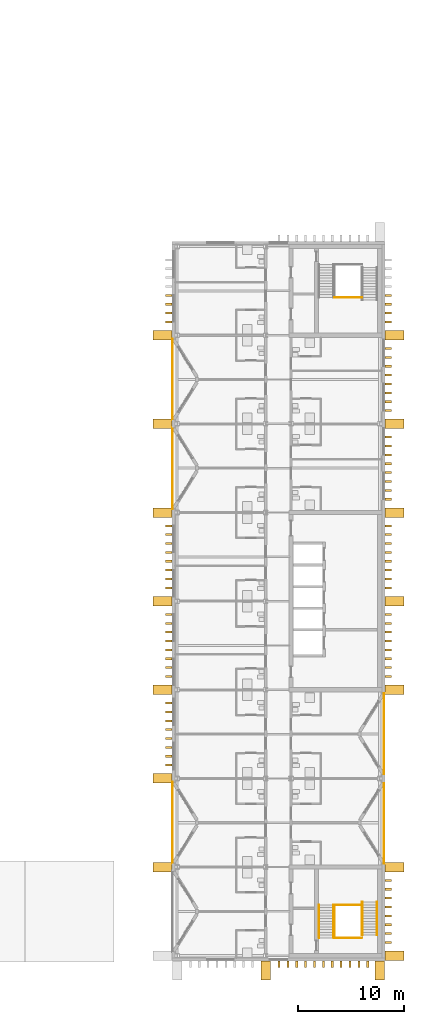
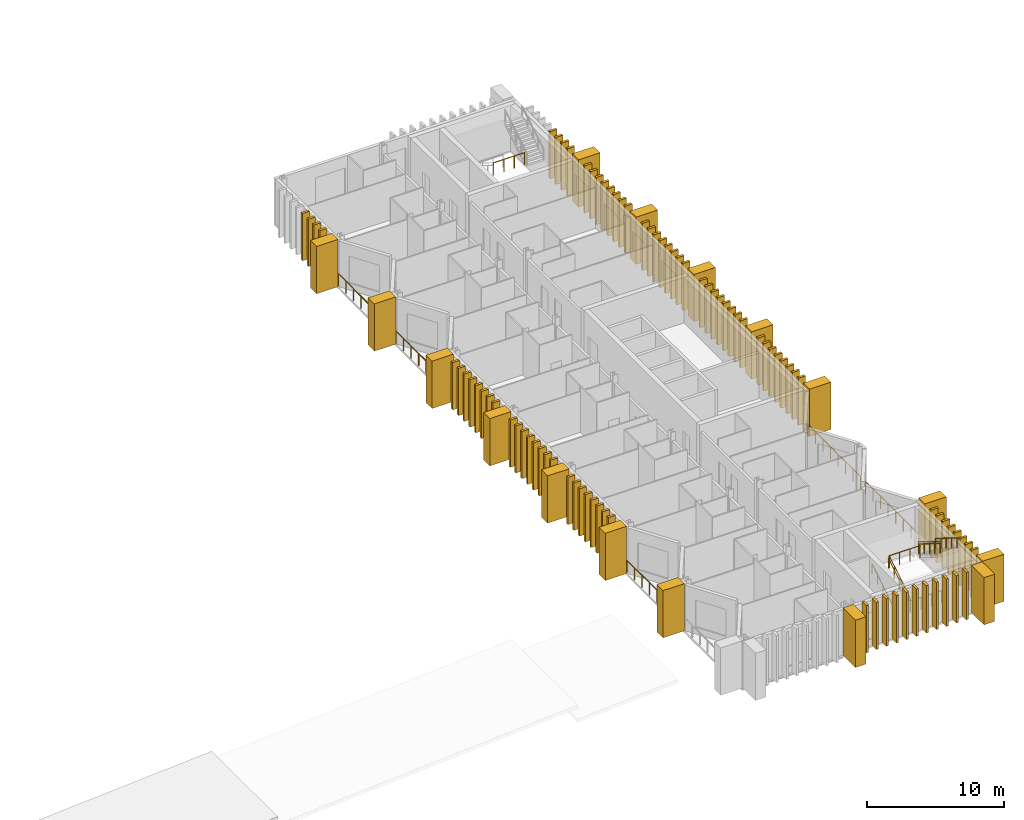
# One storey, part 18 of 21: 99 coverings, 14 railings.
"""IFC4 building model written with IfcOpenShell, lengths in metres."""

import ifcopenshell
import ifcopenshell.guid

model = None  # the IFC model being written
_history = None  # IfcOwnerHistory: only IFC2X3 demands one
_inside = {}  # id of a spatial element -> (the spatial element, [elements in it])
_under = {}  # id of a project, library or spatial element -> (it, [spatial elements below it])
_declared = {}  # id of a project -> (the project, [libraries it declares])
_typed = {}  # id of a type object -> (the type object, [elements of that type])
_made_of = {}  # id of a material, layer set ... -> (it, [elements and type objects made of it])


def new_model(schema):
    """Start an empty IFC model of exactly this schema.

    Asked for "IFC4X3", IfcOpenShell would pick the latest addendum, in which some entities
    have other attributes; the version numbers below select the first issue.
    IFC2X3 requires an IfcOwnerHistory on every rooted entity: one is made here for all.
    """
    global model, _history
    if schema == "IFC4X3":
        model = ifcopenshell.file(schema_version=(4, 3, 0, 0))
    else:
        model = ifcopenshell.file(schema=schema)
    _inside.clear()
    _under.clear()
    _declared.clear()
    _typed.clear()
    _made_of.clear()
    _history = None
    if model.schema == "IFC2X3":
        org = make("IfcOrganization", Name="unknown")
        user = make(
            "IfcPersonAndOrganization",
            ThePerson=make("IfcPerson", FamilyName="unknown"),
            TheOrganization=org,
        )
        app = make(
            "IfcApplication",
            ApplicationDeveloper=org,
            Version="unknown",
            ApplicationFullName="unknown",
            ApplicationIdentifier="unknown",
        )
        _history = make(
            "IfcOwnerHistory",
            OwningUser=user,
            OwningApplication=app,
            ChangeAction="ADDED",
            CreationDate=0,
        )
    return model


def make(cls, **values):
    """One entity of the class cls with the attributes given. An attribute that is None is left unset."""
    return model.create_entity(
        cls, **{name: value for name, value in values.items() if value is not None}
    )


def rooted(cls, **values):
    """An entity with a GlobalId (a new one), such as an element, a storey or a relation."""
    return make(cls, GlobalId=ifcopenshell.guid.new(), OwnerHistory=_history, **values)


def si_unit(unit_type, name, prefix=None):
    """IfcSIUnit, for example si_unit("LENGTHUNIT", "METRE", prefix="MILLI")."""
    return make("IfcSIUnit", UnitType=unit_type, Prefix=prefix, Name=name)


def assignment(units):
    """IfcUnitAssignment: the units of a project."""
    return None if units is None else make("IfcUnitAssignment", Units=units)


def point(xyz):
    """IfcCartesianPoint."""
    return None if xyz is None else make("IfcCartesianPoint", Coordinates=xyz)


def direction(xyz):
    """IfcDirection."""
    return None if xyz is None else make("IfcDirection", DirectionRatios=xyz)


def frame(location, z_axis=None, x_axis=None):
    """IfcAxis2Placement3D, a coordinate frame: its origin and axes. An axis left out is left unset."""
    return make(
        "IfcAxis2Placement3D",
        Location=point(location),
        Axis=direction(z_axis),
        RefDirection=direction(x_axis),
    )


def frame_2d(location, x_axis=None):
    """IfcAxis2Placement2D, a coordinate frame in the plane: its origin and x axis."""
    return make(
        "IfcAxis2Placement2D", Location=point(location), RefDirection=direction(x_axis)
    )


def origin():
    """The frame at (0, 0, 0) with its axes left unset."""
    return frame((0.0, 0.0, 0.0))


def origin_2d():
    """The frame at (0, 0) in the plane with its x axis left unset."""
    return frame_2d((0.0, 0.0))


def place(relative_to, where):
    """IfcLocalPlacement: puts the frame where relative to a parent placement (None: the world)."""
    return make(
        "IfcLocalPlacement", PlacementRelTo=relative_to, RelativePlacement=where
    )


def context(
    kind, dimensions, precision=None, world=None, true_north=None, identifier=None
):
    """IfcGeometricRepresentationContext, for example the 3D "Model" context."""
    return make(
        "IfcGeometricRepresentationContext",
        ContextIdentifier=identifier,
        ContextType=kind,
        CoordinateSpaceDimension=dimensions,
        Precision=precision,
        WorldCoordinateSystem=world,
        TrueNorth=true_north,
    )


def subcontext(parent, identifier, kind, view, scale=None):
    """IfcGeometricRepresentationSubContext, for example "Body" below "Model"."""
    return make(
        "IfcGeometricRepresentationSubContext",
        ContextIdentifier=identifier,
        ContextType=kind,
        ParentContext=parent,
        TargetScale=scale,
        TargetView=view,
    )


def project(units=None, contexts=None):
    """IfcProject with its units and contexts."""
    return rooted(
        "IfcProject",
        Name="project",
        RepresentationContexts=contexts,
        UnitsInContext=assignment(units),
    )


def spatial(cls, under=None, at=None, **own):
    """A site, building, storey or space (cls), placed at a placement, below another one or the project."""
    s = rooted(cls, ObjectPlacement=at, **own)
    if under is not None:
        _under.setdefault(under.id(), (under, []))[1].append(s)
    return s


def profile(cls, at=None, kind="AREA", **sizes):
    """A parametric profile (cls). Its sizes go by their IFC names, for example OverallWidth=200.0."""
    return make(cls, ProfileType=kind, Position=at, **sizes)


def rectangle(**sizes):
    """IfcRectangleProfileDef."""
    return profile("IfcRectangleProfileDef", **sizes)


def circle(**sizes):
    """IfcCircleProfileDef."""
    return profile("IfcCircleProfileDef", **sizes)


def extrude(swept, where, along, depth):
    """IfcExtrudedAreaSolid: the profile swept, set in the frame where, extruded along a direction by depth."""
    return make(
        "IfcExtrudedAreaSolid",
        SweptArea=swept,
        Position=where,
        ExtrudedDirection=direction(along),
        Depth=depth,
    )


def shape(context_of_items, identifier, shape_type, items):
    """IfcShapeRepresentation: the items that make up one representation, for example the "Body"."""
    return make(
        "IfcShapeRepresentation",
        ContextOfItems=context_of_items,
        RepresentationIdentifier=identifier,
        RepresentationType=shape_type,
        Items=items,
    )


def material(Name=None, Category=None):
    """IfcMaterial."""
    return make("IfcMaterial", Name=Name, Category=Category)


def made_of(thing, what):
    """Note that an element or type object is made of a material, layer set ...; save() writes the relation."""
    if what is not None:
        _made_of.setdefault(what.id(), (what, []))[1].append(thing)
    return thing


def type_object(cls, material=None, **own):
    """A type object (cls), such as IfcWallType, which elements share."""
    return made_of(rooted(cls, **own), material)


def element(
    cls,
    number,
    at=None,
    inside=None,
    cuts=None,
    type_object=None,
    material=None,
    context=None,
    identifier="Body",
    shape_type=None,
    held_by="IfcProductDefinitionShape",
    body=None,
    shapes=None,
    **own,
):
    """One element of the class cls, such as IfcWall. Its Tag is "e" and its number.

    at: its placement. inside: the storey or other place that contains it. cuts: it is an
    opening in that element (IfcRelVoidsElement). A single representation is given by context,
    identifier, shape_type and body (its items); several are given by shapes. held_by: the class
    of the entity that holds the representations. save() writes the other relations.
    """
    e = rooted(cls, Tag="e%d" % number, ObjectPlacement=at, **own)
    if body is not None:
        shapes = [shape(context, identifier, shape_type, body)]
    if shapes is not None:
        e.Representation = make(held_by, Representations=shapes)
    if inside is not None:
        _inside.setdefault(inside.id(), (inside, []))[1].append(e)
    if cuts is not None:
        rooted(
            "IfcRelVoidsElement", RelatingBuildingElement=cuts, RelatedOpeningElement=e
        )
    if type_object is not None:
        _typed.setdefault(type_object.id(), (type_object, []))[1].append(e)
    return made_of(e, material)


def aggregate(whole, parts):
    """IfcRelAggregates: a whole, such as a stair, and the parts it consists of."""
    return rooted("IfcRelAggregates", RelatingObject=whole, RelatedObjects=parts)


def save(model, path):
    """Write the relations noted so far, then the file.

    IfcRelAggregates (storeys below a building ...), IfcRelContainedInSpatialStructure (elements
    in a storey), IfcRelDefinesByType, IfcRelAssociatesMaterial and IfcRelDeclares: one each for
    every whole, place, type object, material and project.
    """
    for whole, parts in _under.values():
        aggregate(whole, parts)
    for where, things in _inside.values():
        rooted(
            "IfcRelContainedInSpatialStructure",
            RelatedElements=things,
            RelatingStructure=where,
        )
    for kind, things in _typed.values():
        rooted("IfcRelDefinesByType", RelatedObjects=things, RelatingType=kind)
    for what, things in _made_of.values():
        rooted("IfcRelAssociatesMaterial", RelatedObjects=things, RelatingMaterial=what)
    for by, libraries in _declared.values():
        rooted("IfcRelDeclares", RelatingContext=by, RelatedDefinitions=libraries)
    model.write(path)


model = new_model("IFC4")

# Units and contexts
model_context = context("Model", 3, precision=1e-05, world=origin(), true_north=direction((0.0, 1.0)))
body_context = subcontext(model_context, "Body", "Model", "MODEL_VIEW")
ifc_project = project(units=[si_unit("LENGTHUNIT", "METRE"), si_unit("AREAUNIT", "SQUARE_METRE"), si_unit("VOLUMEUNIT", "CUBIC_METRE"), si_unit("PLANEANGLEUNIT", "RADIAN"), si_unit("MASSUNIT", "GRAM", prefix="KILO")], contexts=[model_context])

# Site, building, storey
site_placement = place(None, origin())
site = spatial("IfcSite", under=ifc_project, at=site_placement, CompositionType="ELEMENT")
building_placement = place(site_placement, origin())
building = spatial("IfcBuilding", under=site, at=building_placement, Name="Cresset Court Congress Hotel", CompositionType="ELEMENT")
storey_placement = place(building_placement, frame((0.0, 0.0, 22.800048828125)))
storey = spatial("IfcBuildingStorey", under=building, at=storey_placement, Name="L05", CompositionType="ELEMENT", Elevation=22.800048828125)

# Coverings
ifc_material_1 = material(Name="Precast concrete C50", Category="concrete")
covering_type_1 = type_object("IfcCoveringType", Name="Precast stone fin 200x600", PredefinedType="CLADDING", material=ifc_material_1)
for number, where, z_axis, x_axis, name in (
    (1, (177.199951171875, 1.260009765625, 0.0), (0.0, 0.0, 1.0), (1.0, 0.0, 0.0), "Fin E002"),
    (2, (177.199951171875, 2.10009765625, 0.0), (0.0, 0.0, 1.0), (1.0, 0.0, 0.0), "Fin E003"),
    (3, (177.199951171875, 2.93994140625, 0.0), (0.0, 0.0, 1.0), (1.0, 0.0, 0.0), "Fin E004"),
    (4, (177.199951171875, 3.780029296875, 0.0), (0.0, 0.0, 1.0), (1.0, 0.0, 0.0), "Fin E005"),
    (5, (177.199951171875, 4.6201171875, 0.0), (0.0, 0.0, 1.0), (1.0, 0.0, 0.0), "Fin E006"),
    (6, (177.199951171875, 5.4599609375, 0.0), (0.0, 0.0, 1.0), (1.0, 0.0, 0.0), "Fin E007"),
    (7, (177.199951171875, 6.300048828125, 0.0), (0.0, 0.0, 1.0), (1.0, 0.0, 0.0), "Fin E008"),
    (8, (177.199951171875, 7.139892578125, 0.0), (0.0, 0.0, 1.0), (1.0, 0.0, 0.0), "Fin E009"),
    (9, (177.199951171875, 26.4599609375, 0.0), (0.0, 0.0, 1.0), (1.0, 0.0, 0.0), "Fin E032"),
    (10, (177.199951171875, 27.300048828125, 0.0), (0.0, 0.0, 1.0), (1.0, 0.0, 0.0), "Fin E033"),
    (11, (177.199951171875, 28.139892578125, 0.0), (0.0, 0.0, 1.0), (1.0, 0.0, 0.0), "Fin E034"),
    (12, (177.199951171875, 28.97998046875, 0.0), (0.0, 0.0, 1.0), (1.0, 0.0, 0.0), "Fin E035"),
    (13, (177.199951171875, 29.820068359375, 0.0), (0.0, 0.0, 1.0), (1.0, 0.0, 0.0), "Fin E036"),
    (14, (177.199951171875, 30.659912109375, 0.0), (0.0, 0.0, 1.0), (1.0, 0.0, 0.0), "Fin E037"),
    (15, (177.199951171875, 31.5, 0.0), (0.0, 0.0, 1.0), (1.0, 0.0, 0.0), "Fin E038"),
    (16, (177.199951171875, 32.340087890625, 0.0), (0.0, 0.0, 1.0), (1.0, 0.0, 0.0), "Fin E039"),
    (17, (177.199951171875, 34.860107421875, 0.0), (0.0, 0.0, 1.0), (1.0, 0.0, 0.0), "Fin E042"),
    (18, (177.199951171875, 35.699951171875, 0.0), (0.0, 0.0, 1.0), (1.0, 0.0, 0.0), "Fin E043"),
    (19, (177.199951171875, 36.5400390625, 0.0), (0.0, 0.0, 1.0), (1.0, 0.0, 0.0), "Fin E044"),
    (20, (177.199951171875, 37.3798828125, 0.0), (0.0, 0.0, 1.0), (1.0, 0.0, 0.0), "Fin E045"),
    (21, (177.199951171875, 38.219970703125, 0.0), (0.0, 0.0, 1.0), (1.0, 0.0, 0.0), "Fin E046"),
    (22, (177.199951171875, 39.06005859375, 0.0), (0.0, 0.0, 1.0), (1.0, 0.0, 0.0), "Fin E047"),
    (23, (177.199951171875, 39.89990234375, 0.0), (0.0, 0.0, 1.0), (1.0, 0.0, 0.0), "Fin E048"),
    (24, (177.199951171875, 40.739990234375, 0.0), (0.0, 0.0, 1.0), (1.0, 0.0, 0.0), "Fin E049"),
    (25, (177.199951171875, 43.260009765625, 0.0), (0.0, 0.0, 1.0), (1.0, 0.0, 0.0), "Fin E052"),
    (26, (177.199951171875, 44.10009765625, 0.0), (0.0, 0.0, 1.0), (1.0, 0.0, 0.0), "Fin E053"),
    (27, (177.199951171875, 44.93994140625, 0.0), (0.0, 0.0, 1.0), (1.0, 0.0, 0.0), "Fin E054"),
    (28, (177.199951171875, 45.780029296875, 0.0), (0.0, 0.0, 1.0), (1.0, 0.0, 0.0), "Fin E055"),
    (29, (177.199951171875, 46.6201171875, 0.0), (0.0, 0.0, 1.0), (1.0, 0.0, 0.0), "Fin E056"),
    (30, (177.199951171875, 47.4599609375, 0.0), (0.0, 0.0, 1.0), (1.0, 0.0, 0.0), "Fin E057"),
    (31, (177.199951171875, 48.300048828125, 0.0), (0.0, 0.0, 1.0), (1.0, 0.0, 0.0), "Fin E058"),
    (32, (177.199951171875, 49.139892578125, 0.0), (0.0, 0.0, 1.0), (1.0, 0.0, 0.0), "Fin E059"),
    (33, (177.199951171875, 51.659912109375, 0.0), (0.0, 0.0, 1.0), (1.0, 0.0, 0.0), "Fin E062"),
    (34, (177.199951171875, 52.5, 0.0), (0.0, 0.0, 1.0), (1.0, 0.0, 0.0), "Fin E063"),
    (35, (177.199951171875, 53.340087890625, 0.0), (0.0, 0.0, 1.0), (1.0, 0.0, 0.0), "Fin E064"),
    (36, (177.199951171875, 54.179931640625, 0.0), (0.0, 0.0, 1.0), (1.0, 0.0, 0.0), "Fin E065"),
    (37, (177.199951171875, 55.02001953125, 0.0), (0.0, 0.0, 1.0), (1.0, 0.0, 0.0), "Fin E066"),
    (38, (177.199951171875, 55.860107421875, 0.0), (0.0, 0.0, 1.0), (1.0, 0.0, 0.0), "Fin E067"),
    (39, (177.199951171875, 56.699951171875, 0.0), (0.0, 0.0, 1.0), (1.0, 0.0, 0.0), "Fin E068"),
    (40, (177.199951171875, 57.5400390625, 0.0), (0.0, 0.0, 1.0), (1.0, 0.0, 0.0), "Fin E069"),
    (41, (177.199951171875, 60.06005859375, 0.0), (0.0, 0.0, 1.0), (1.0, 0.0, 0.0), "Fin E072"),
    (42, (177.199951171875, 60.89990234375, 0.0), (0.0, 0.0, 1.0), (1.0, 0.0, 0.0), "Fin E073"),
    (43, (177.199951171875, 61.739990234375, 0.0), (0.0, 0.0, 1.0), (1.0, 0.0, 0.0), "Fin E074"),
    (44, (177.199951171875, 62.580078125, 0.0), (0.0, 0.0, 1.0), (1.0, 0.0, 0.0), "Fin E075"),
    (45, (156.39990234375, 18.06005859375, 0.0), (0.0, 0.0, 1.0), (1.0, 0.0, 0.0), "Fin W022"),
    (46, (156.39990234375, 18.89990234375, 0.0), (0.0, 0.0, 1.0), (1.0, 0.0, 0.0), "Fin W023"),
    (47, (156.39990234375, 19.739990234375, 0.0), (0.0, 0.0, 1.0), (1.0, 0.0, 0.0), "Fin W024"),
    (48, (156.39990234375, 20.580078125, 0.0), (0.0, 0.0, 1.0), (1.0, 0.0, 0.0), "Fin W025"),
    (49, (156.39990234375, 21.419921875, 0.0), (0.0, 0.0, 1.0), (1.0, 0.0, 0.0), "Fin W026"),
    (50, (156.39990234375, 22.260009765625, 0.0), (0.0, 0.0, 1.0), (1.0, 0.0, 0.0), "Fin W027"),
    (51, (156.39990234375, 23.10009765625, 0.0), (0.0, 0.0, 1.0), (1.0, 0.0, 0.0), "Fin W028"),
    (52, (156.39990234375, 23.93994140625, 0.0), (0.0, 0.0, 1.0), (1.0, 0.0, 0.0), "Fin W029"),
    (53, (156.39990234375, 26.4599609375, 0.0), (0.0, 0.0, 1.0), (1.0, 0.0, 0.0), "Fin W032"),
    (54, (156.39990234375, 27.300048828125, 0.0), (0.0, 0.0, 1.0), (1.0, 0.0, 0.0), "Fin W033"),
    (55, (156.39990234375, 28.139892578125, 0.0), (0.0, 0.0, 1.0), (1.0, 0.0, 0.0), "Fin W034"),
    (56, (156.39990234375, 28.97998046875, 0.0), (0.0, 0.0, 1.0), (1.0, 0.0, 0.0), "Fin W035"),
    (57, (156.39990234375, 29.820068359375, 0.0), (0.0, 0.0, 1.0), (1.0, 0.0, 0.0), "Fin W036"),
    (58, (156.39990234375, 30.659912109375, 0.0), (0.0, 0.0, 1.0), (1.0, 0.0, 0.0), "Fin W037"),
    (59, (156.39990234375, 31.5, 0.0), (0.0, 0.0, 1.0), (1.0, 0.0, 0.0), "Fin W038"),
    (60, (156.39990234375, 32.340087890625, 0.0), (0.0, 0.0, 1.0), (1.0, 0.0, 0.0), "Fin W039"),
    (61, (156.39990234375, 34.860107421875, 0.0), (0.0, 0.0, 1.0), (1.0, 0.0, 0.0), "Fin W042"),
    (62, (156.39990234375, 35.699951171875, 0.0), (0.0, 0.0, 1.0), (1.0, 0.0, 0.0), "Fin W043"),
    (63, (156.39990234375, 36.5400390625, 0.0), (0.0, 0.0, 1.0), (1.0, 0.0, 0.0), "Fin W044"),
    (64, (156.39990234375, 37.3798828125, 0.0), (0.0, 0.0, 1.0), (1.0, 0.0, 0.0), "Fin W045"),
    (65, (156.39990234375, 38.219970703125, 0.0), (0.0, 0.0, 1.0), (1.0, 0.0, 0.0), "Fin W046"),
    (66, (156.39990234375, 39.06005859375, 0.0), (0.0, 0.0, 1.0), (1.0, 0.0, 0.0), "Fin W047"),
    (67, (156.39990234375, 39.89990234375, 0.0), (0.0, 0.0, 1.0), (1.0, 0.0, 0.0), "Fin W048"),
    (68, (156.39990234375, 40.739990234375, 0.0), (0.0, 0.0, 1.0), (1.0, 0.0, 0.0), "Fin W049"),
    (69, (156.39990234375, 60.06005859375, 0.0), (0.0, 0.0, 1.0), (1.0, 0.0, 0.0), "Fin W072"),
    (70, (156.39990234375, 60.89990234375, 0.0), (0.0, 0.0, 1.0), (1.0, 0.0, 0.0), "Fin W073"),
    (71, (156.39990234375, 61.739990234375, 0.0), (0.0, 0.0, 1.0), (1.0, 0.0, 0.0), "Fin W074"),
    (72, (156.39990234375, 62.580078125, 0.0), (0.0, 0.0, 1.0), (1.0, 0.0, 0.0), "Fin W075"),
):
    element("IfcCovering", number, at=place(storey_placement, frame(where, z_axis=z_axis, x_axis=x_axis)), inside=storey, type_object=covering_type_1, Name=name, PredefinedType="CLADDING", context=body_context, shape_type="SweptSolid", body=[
        extrude(rectangle(XDim=0.60009765625, YDim=0.199951171875, at=origin_2d()), origin(), (0.0, 0.0, 1.0), 4.199951171875),
    ])
for number, where, z_axis, x_axis, name in (
    (73, (166.860107421875, -0.800048828125, 0.0), (0.0, 0.0, 1.0), (1.0, 0.0, 0.0), "Fin S012"),
    (74, (167.699951171875, -0.800048828125, 0.0), (0.0, 0.0, 1.0), (1.0, 0.0, 0.0), "Fin S013"),
    (75, (168.5400390625, -0.800048828125, 0.0), (0.0, 0.0, 1.0), (1.0, 0.0, 0.0), "Fin S014"),
    (76, (169.3798828125, -0.800048828125, 0.0), (0.0, 0.0, 1.0), (1.0, 0.0, 0.0), "Fin S015"),
    (77, (170.219970703125, -0.800048828125, 0.0), (0.0, 0.0, 1.0), (1.0, 0.0, 0.0), "Fin S016"),
    (78, (171.06005859375, -0.800048828125, 0.0), (0.0, 0.0, 1.0), (1.0, 0.0, 0.0), "Fin S017"),
    (79, (171.89990234375, -0.800048828125, 0.0), (0.0, 0.0, 1.0), (1.0, 0.0, 0.0), "Fin S018"),
    (80, (172.739990234375, -0.800048828125, 0.0), (0.0, 0.0, 1.0), (1.0, 0.0, 0.0), "Fin S019"),
    (81, (173.580078125, -0.800048828125, 0.0), (0.0, 0.0, 1.0), (1.0, 0.0, 0.0), "Fin S020"),
    (82, (174.419921875, -0.800048828125, 0.0), (0.0, 0.0, 1.0), (1.0, 0.0, 0.0), "Fin S021"),
    (83, (175.260009765625, -0.800048828125, 0.0), (0.0, 0.0, 1.0), (1.0, 0.0, 0.0), "Fin S022"),
):
    element("IfcCovering", number, at=place(storey_placement, frame(where, z_axis=z_axis, x_axis=x_axis)), inside=storey, type_object=covering_type_1, Name=name, PredefinedType="CLADDING", context=body_context, shape_type="SweptSolid", body=[
        extrude(rectangle(XDim=0.199951171875, YDim=0.60009765625, at=origin_2d()), origin(), (0.0, 0.0, 1.0), 4.199951171875),
    ])
ifc_material_2 = material(Name="Precast concrete C50", Category="concrete")
covering_type_2 = type_object("IfcCoveringType", Name="Precast stone pier 900x1800", PredefinedType="CLADDING", material=ifc_material_2)
for number, where, z_axis, x_axis, name in (
    (84, (177.800048828125, 0.0, 0.0), (0.0, 0.0, 1.0), (1.0, 0.0, 0.0), "Pier E01"),
    (85, (177.800048828125, 8.39990234375, 0.0), (0.0, 0.0, 1.0), (1.0, 0.0, 0.0), "Pier E02"),
    (86, (177.800048828125, 25.199951171875, 0.0), (0.0, 0.0, 1.0), (1.0, 0.0, 0.0), "Pier E03"),
    (87, (177.800048828125, 33.60009765625, 0.0), (0.0, 0.0, 1.0), (1.0, 0.0, 0.0), "Pier E04"),
    (88, (177.800048828125, 42.0, 0.0), (0.0, 0.0, 1.0), (1.0, 0.0, 0.0), "Pier E05"),
    (89, (177.800048828125, 50.39990234375, 0.0), (0.0, 0.0, 1.0), (1.0, 0.0, 0.0), "Pier E06"),
    (90, (177.800048828125, 58.800048828125, 0.0), (0.0, 0.0, 1.0), (1.0, 0.0, 0.0), "Pier E07"),
    (91, (155.800048828125, 8.39990234375, 0.0), (0.0, 0.0, 1.0), (1.0, 0.0, 0.0), "Pier W02"),
    (92, (155.800048828125, 16.800048828125, 0.0), (0.0, 0.0, 1.0), (1.0, 0.0, 0.0), "Pier W03"),
    (93, (155.800048828125, 25.199951171875, 0.0), (0.0, 0.0, 1.0), (1.0, 0.0, 0.0), "Pier W04"),
    (94, (155.800048828125, 33.60009765625, 0.0), (0.0, 0.0, 1.0), (1.0, 0.0, 0.0), "Pier W05"),
    (95, (155.800048828125, 42.0, 0.0), (0.0, 0.0, 1.0), (1.0, 0.0, 0.0), "Pier W06"),
    (96, (155.800048828125, 50.39990234375, 0.0), (0.0, 0.0, 1.0), (1.0, 0.0, 0.0), "Pier W07"),
    (97, (155.800048828125, 58.800048828125, 0.0), (0.0, 0.0, 1.0), (1.0, 0.0, 0.0), "Pier W08"),
):
    element("IfcCovering", number, at=place(storey_placement, frame(where, z_axis=z_axis, x_axis=x_axis)), inside=storey, type_object=covering_type_2, Name=name, PredefinedType="CLADDING", context=body_context, shape_type="SweptSolid", body=[
        extrude(rectangle(XDim=1.800048828125, YDim=0.89990234375, at=origin_2d()), origin(), (0.0, 0.0, 1.0), 4.199951171875),
    ])
for number, where, z_axis, x_axis, name in (
    (98, (165.60009765625, -1.39990234375, 0.0), (0.0, 0.0, 1.0), (1.0, 0.0, 0.0), "Pier S02"),
    (99, (176.39990234375, -1.39990234375, 0.0), (0.0, 0.0, 1.0), (1.0, 0.0, 0.0), "Pier S03"),
):
    element("IfcCovering", number, at=place(storey_placement, frame(where, z_axis=z_axis, x_axis=x_axis)), inside=storey, type_object=covering_type_2, Name=name, PredefinedType="CLADDING", context=body_context, shape_type="SweptSolid", body=[
        extrude(rectangle(XDim=0.89990234375, YDim=1.800048828125, at=origin_2d()), origin(), (0.0, 0.0, 1.0), 4.199951171875),
    ])

# Railings
ifc_material_3 = material(Name="Stainless steel", Category="steel")
railing_type_1 = type_object("IfcRailingType", Name="Slot ledge guard 1100", PredefinedType="GUARDRAIL", material=ifc_material_3)
for number, where, name in (
    (100, (156.780029296875, 8.75, 0.0), "Slot guard W2 L05"),
    (101, (156.780029296875, 42.35009765625, 0.0), "Slot guard W6 L05"),
    (102, (156.780029296875, 50.75, 0.0), "Slot guard W7 L05"),
    (103, (176.820068359375, 8.75, 0.0), "Slot guard E2 L05"),
):
    element("IfcRailing", number, at=place(storey_placement, frame(where)), inside=storey, type_object=railing_type_1, Name=name, PredefinedType="GUARDRAIL", context=body_context, shape_type="SweptSolid", body=[
        extrude(circle(Radius=0.02392578125, at=origin_2d()), frame((0.0, 0.0, 1.076171875), z_axis=(0.0, 1.0, 0.0), x_axis=(-1.0, 0.0, 0.0)), (0.0, 0.0, 1.0), 7.699951171875),
        extrude(circle(Radius=0.02099609375, at=origin_2d()), origin(), (0.0, 0.0, 1.0), 1.052001953125),
        extrude(circle(Radius=0.02099609375, at=origin_2d()), frame((0.0, 1.10009765625, 0.0)), (0.0, 0.0, 1.0), 1.052001953125),
        extrude(circle(Radius=0.02099609375, at=origin_2d()), frame((0.0, 2.199951171875, 0.0)), (0.0, 0.0, 1.0), 1.052001953125),
        extrude(circle(Radius=0.02099609375, at=origin_2d()), frame((0.0, 3.300048828125, 0.0)), (0.0, 0.0, 1.0), 1.052001953125),
        extrude(circle(Radius=0.02099609375, at=origin_2d()), frame((0.0, 4.39990234375, 0.0)), (0.0, 0.0, 1.0), 1.052001953125),
        extrude(circle(Radius=0.02099609375, at=origin_2d()), frame((0.0, 5.5, 0.0)), (0.0, 0.0, 1.0), 1.052001953125),
        extrude(circle(Radius=0.02099609375, at=origin_2d()), frame((0.0, 6.599853515625, 0.0)), (0.0, 0.0, 1.0), 1.052001953125),
        extrude(circle(Radius=0.02099609375, at=origin_2d()), frame((0.0, 7.699951171875, 0.0)), (0.0, 0.0, 1.0), 1.052001953125),
    ])
railing_1_placement = place(storey_placement, frame((176.820068359375, 17.14990234375, 0.0)))
element("IfcRailing", 104, at=railing_1_placement, inside=storey, type_object=railing_type_1, Name="Slot guard E3 L05", PredefinedType="GUARDRAIL", context=body_context, shape_type="SweptSolid", body=[
    extrude(circle(Radius=0.02392578125, at=origin_2d()), frame((0.0, 0.0, 1.076171875), z_axis=(0.0, 1.0, 0.0), x_axis=(-1.0, 0.0, 0.0)), (0.0, 0.0, 1.0), 7.7001953125),
    extrude(circle(Radius=0.02099609375, at=origin_2d()), origin(), (0.0, 0.0, 1.0), 1.052001953125),
    extrude(circle(Radius=0.02099609375, at=origin_2d()), frame((0.0, 1.10009765625, 0.0)), (0.0, 0.0, 1.0), 1.052001953125),
    extrude(circle(Radius=0.02099609375, at=origin_2d()), frame((0.0, 2.199951171875, 0.0)), (0.0, 0.0, 1.0), 1.052001953125),
    extrude(circle(Radius=0.02099609375, at=origin_2d()), frame((0.0, 3.300048828125, 0.0)), (0.0, 0.0, 1.0), 1.052001953125),
    extrude(circle(Radius=0.02099609375, at=origin_2d()), frame((0.0, 4.400146484375, 0.0)), (0.0, 0.0, 1.0), 1.052001953125),
    extrude(circle(Radius=0.02099609375, at=origin_2d()), frame((0.0, 5.500244140625, 0.0)), (0.0, 0.0, 1.0), 1.052001953125),
    extrude(circle(Radius=0.02099609375, at=origin_2d()), frame((0.0, 6.60009765625, 0.0)), (0.0, 0.0, 1.0), 1.052001953125),
    extrude(circle(Radius=0.02099609375, at=origin_2d()), frame((0.0, 7.7001953125, 0.0)), (0.0, 0.0, 1.0), 1.052001953125),
])
ifc_material_4 = material(Name="Stainless steel", Category="steel")
railing_type_2 = type_object("IfcRailingType", Name="Stair guard 1100", PredefinedType="GUARDRAIL", material=ifc_material_4)
railing_2_placement = place(storey_placement, frame((172.10009765625, 1.699951171875, 0.161376953125)))
element("IfcRailing", 105, at=railing_2_placement, inside=storey, type_object=railing_type_2, Name="Guard A1 L05", PredefinedType="GUARDRAIL", context=body_context, shape_type="SweptSolid", body=[
    extrude(circle(Radius=0.02392578125, at=origin_2d()), frame((0.0, 0.0, 1.076171875), z_axis=(0.0, 0.849414166554, 0.527726798313), x_axis=(-1.0, 0.0, 0.0)), (0.0, 0.0, 1.0), 3.67333984375),
    extrude(circle(Radius=0.02099609375, at=origin_2d()), origin(), (0.0, 0.0, 1.0), 1.052001953125),
    extrude(circle(Radius=0.02099609375, at=origin_2d()), frame((0.0, 0.780029296875, 0.484619140625)), (0.0, 0.0, 1.0), 1.052001953125),
    extrude(circle(Radius=0.02099609375, at=origin_2d()), frame((0.0, 1.56005859375, 0.96923828125)), (0.0, 0.0, 1.0), 1.052001953125),
    extrude(circle(Radius=0.02099609375, at=origin_2d()), frame((0.0, 2.340087890625, 1.453857421875)), (0.0, 0.0, 1.0), 1.052001953125),
    extrude(circle(Radius=0.02099609375, at=origin_2d()), frame((0.0, 3.1201171875, 1.9384765625)), (0.0, 0.0, 1.0), 1.052001953125),
])
railing_3_placement = place(storey_placement, frame((174.699951171875, 5.080078125, 2.261474609375)))
element("IfcRailing", 106, at=railing_3_placement, inside=storey, type_object=railing_type_2, Name="Guard A1 L05", PredefinedType="GUARDRAIL", context=body_context, shape_type="SweptSolid", body=[
    extrude(circle(Radius=0.02392578125, at=origin_2d()), frame((0.0, 0.0, 1.076171875), z_axis=(0.0, -0.849414166554, 0.527726798313), x_axis=(1.0, 0.0, 0.0)), (0.0, 0.0, 1.0), 3.67333984375),
    extrude(circle(Radius=0.02099609375, at=origin_2d()), origin(), (0.0, 0.0, 1.0), 1.052001953125),
    extrude(circle(Radius=0.02099609375, at=origin_2d()), frame((0.0, -0.780029296875, 0.484619140625)), (0.0, 0.0, 1.0), 1.052001953125),
    extrude(circle(Radius=0.02099609375, at=origin_2d()), frame((0.0, -1.56005859375, 0.96923828125)), (0.0, 0.0, 1.0), 1.052001953125),
    extrude(circle(Radius=0.02099609375, at=origin_2d()), frame((0.0, -2.340087890625, 1.453857421875)), (0.0, 0.0, 1.0), 1.052001953125),
    extrude(circle(Radius=0.02099609375, at=origin_2d()), frame((0.0, -3.1201171875, 1.9384765625)), (0.0, 0.0, 1.0), 1.052001953125),
])
for number, where, name in (
    (107, (172.10009765625, 1.699951171875, 0.0), "Guard A1 L05"),
    (108, (172.10009765625, 4.820068359375, 2.099853515625), "Guard A1 L05"),
    (109, (172.10009765625, 62.3798828125, 2.099853515625), "Guard A2 L05"),
):
    element("IfcRailing", number, at=place(storey_placement, frame(where)), inside=storey, type_object=railing_type_2, Name=name, PredefinedType="GUARDRAIL", context=body_context, shape_type="SweptSolid", body=[
        extrude(circle(Radius=0.02392578125, at=origin_2d()), frame((0.0, 0.0, 1.076171875), z_axis=(1.0, 0.0, 0.0), x_axis=(0.0, 1.0, 0.0)), (0.0, 0.0, 1.0), 2.599853515625),
        extrude(circle(Radius=0.02099609375, at=origin_2d()), origin(), (0.0, 0.0, 1.0), 1.052001953125),
        extrude(circle(Radius=0.02099609375, at=origin_2d()), frame((0.86669921875, 0.0, 0.0)), (0.0, 0.0, 1.0), 1.052001953125),
        extrude(circle(Radius=0.02099609375, at=origin_2d()), frame((1.733154296875, 0.0, 0.0)), (0.0, 0.0, 1.0), 1.052001953125),
        extrude(circle(Radius=0.02099609375, at=origin_2d()), frame((2.599853515625, 0.0, 0.0)), (0.0, 0.0, 1.0), 1.052001953125),
    ])
ifc_material_5 = material(Name="Stainless steel", Category="steel")
railing_type_3 = type_object("IfcRailingType", Name="Stair handrail 900", PredefinedType="HANDRAIL", material=ifc_material_5)
for number, where, name in (
    (110, (170.659912109375, 1.699951171875, 0.161376953125), "Handrail A1 L05"),
    (111, (172.0400390625, 1.699951171875, 0.161376953125), "Handrail A1 L05"),
):
    element("IfcRailing", number, at=place(storey_placement, frame(where)), inside=storey, type_object=railing_type_3, Name=name, PredefinedType="HANDRAIL", context=body_context, shape_type="SweptSolid", body=[
        extrude(circle(Radius=0.02392578125, at=origin_2d()), frame((0.0, 0.0, 0.8759765625), z_axis=(0.0, 0.849414166554, 0.527726798313), x_axis=(-1.0, 0.0, 0.0)), (0.0, 0.0, 1.0), 3.67333984375),
        extrude(circle(Radius=0.02099609375, at=origin_2d()), origin(), (0.0, 0.0, 1.0), 0.851806640625),
        extrude(circle(Radius=0.02099609375, at=origin_2d()), frame((0.0, 0.780029296875, 0.484619140625)), (0.0, 0.0, 1.0), 0.851806640625),
        extrude(circle(Radius=0.02099609375, at=origin_2d()), frame((0.0, 1.56005859375, 0.96923828125)), (0.0, 0.0, 1.0), 0.851806640625),
        extrude(circle(Radius=0.02099609375, at=origin_2d()), frame((0.0, 2.340087890625, 1.453857421875)), (0.0, 0.0, 1.0), 0.851806640625),
        extrude(circle(Radius=0.02099609375, at=origin_2d()), frame((0.0, 3.1201171875, 1.9384765625)), (0.0, 0.0, 1.0), 0.851806640625),
    ])
for number, where, name in (
    (112, (174.760009765625, 5.080078125, 2.261474609375), "Handrail A1 L05"),
    (113, (176.139892578125, 5.080078125, 2.261474609375), "Handrail A1 L05"),
):
    element("IfcRailing", number, at=place(storey_placement, frame(where)), inside=storey, type_object=railing_type_3, Name=name, PredefinedType="HANDRAIL", context=body_context, shape_type="SweptSolid", body=[
        extrude(circle(Radius=0.02392578125, at=origin_2d()), frame((0.0, 0.0, 0.8759765625), z_axis=(0.0, -0.849414166554, 0.527726798313), x_axis=(1.0, 0.0, 0.0)), (0.0, 0.0, 1.0), 3.67333984375),
        extrude(circle(Radius=0.02099609375, at=origin_2d()), origin(), (0.0, 0.0, 1.0), 0.851806640625),
        extrude(circle(Radius=0.02099609375, at=origin_2d()), frame((0.0, -0.780029296875, 0.484619140625)), (0.0, 0.0, 1.0), 0.851806640625),
        extrude(circle(Radius=0.02099609375, at=origin_2d()), frame((0.0, -1.56005859375, 0.96923828125)), (0.0, 0.0, 1.0), 0.851806640625),
        extrude(circle(Radius=0.02099609375, at=origin_2d()), frame((0.0, -2.340087890625, 1.453857421875)), (0.0, 0.0, 1.0), 0.851806640625),
        extrude(circle(Radius=0.02099609375, at=origin_2d()), frame((0.0, -3.1201171875, 1.9384765625)), (0.0, 0.0, 1.0), 0.851806640625),
    ])

save(model, "model.ifc")
